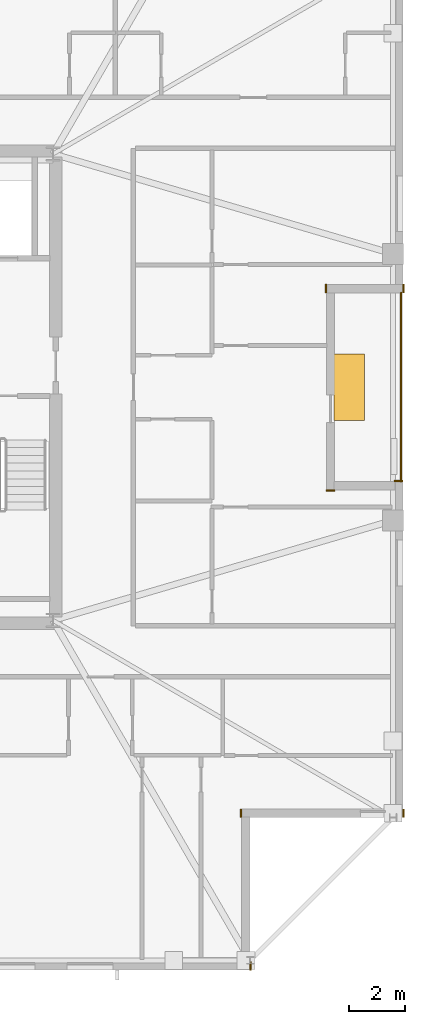
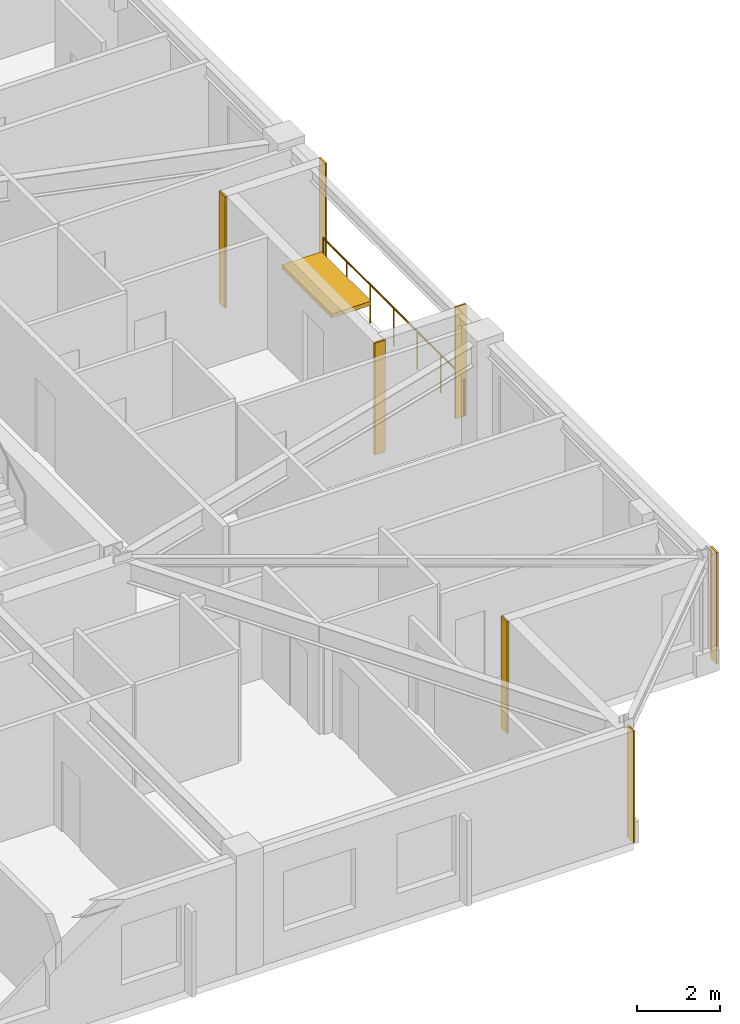
# One storey, part 14 of 15: 7 coverings, 1 railing, 1 shading device.
"""IFC4 building model written with IfcOpenShell, lengths in metres."""

from ifc_helpers import new_model, si_unit, direction, frame, frame_2d, origin, origin_2d, place, context, subcontext, project, spatial, rectangle, circle, extrude, material, layer, layer_set, type_object, element, save


model = new_model("IFC4")

# Units and contexts
model_context = context("Model", 3, precision=1e-05, world=origin(), true_north=direction((0.0, 1.0)))
body_context = subcontext(model_context, "Body", "Model", "MODEL_VIEW")
ifc_project = project(units=[si_unit("LENGTHUNIT", "METRE"), si_unit("AREAUNIT", "SQUARE_METRE"), si_unit("VOLUMEUNIT", "CUBIC_METRE"), si_unit("PLANEANGLEUNIT", "RADIAN"), si_unit("MASSUNIT", "GRAM", prefix="KILO")], contexts=[model_context])

# Site, building, storey
site_placement = place(None, origin())
site = spatial("IfcSite", under=ifc_project, at=site_placement, CompositionType="ELEMENT")
building_placement = place(site_placement, origin())
building = spatial("IfcBuilding", under=site, at=building_placement, Name="Cairnveth Concourse Tower", CompositionType="ELEMENT")
storey_placement = place(building_placement, frame((0.0, 0.0, 305.0)))
storey = spatial("IfcBuildingStorey", under=building, at=storey_placement, Name="L84", CompositionType="ELEMENT", Elevation=305.0)

# Coverings
ifc_material_1 = material(Name="Dressed Melbourne Bluestone Cladding", Category="masonry")
ifc_layer = layer(ifc_material_1, 0.050048828125)
ifc_layer_set = layer_set([ifc_layer], Name="Dressed Melbourne Bluestone Cladding")
covering_type = type_object("IfcCoveringType", Name="DRESSED BLUESTONE PLINTH CLADDING 50", PredefinedType="CLADDING", material=ifc_layer_set)
for number, where, z_axis, x_axis, name in (
    (1, (72.699951171875, 35.6201171875, 0.0), (0.0, 0.0, 1.0), (1.0, 0.0, 0.0), "Melbourne Bluestone Corner Quoin L84-1275"),
    (2, (73.02001953125, 23.800048828125, 0.0), (0.0, 0.0, 1.0), (0.0, -1.0, 0.0), "Melbourne Bluestone Corner Quoin L84-1276"),
    (3, (67.179931640625, 23.800048828125, 0.0), (0.0, 0.0, 1.0), (0.0, -1.0, 0.0), "Melbourne Bluestone Corner Quoin L84-1277"),
    (4, (67.52001953125, 18.300048828125, 0.0), (0.0, 0.0, 1.0), (0.0, -1.0, 0.0), "Melbourne Bluestone Corner Quoin L84-1278"),
    (5, (73.02001953125, 42.699951171875, 0.0), (0.0, 0.0, 1.0), (0.0, -1.0, 0.0), "Melbourne Bluestone Corner Quoin L84-1288"),
    (6, (70.22998046875, 42.699951171875, 0.0), (0.0, 0.0, 1.0), (0.0, -1.0, 0.0), "Melbourne Bluestone Corner Quoin L84-1289"),
    (7, (70.25, 35.280029296875, 0.0), (0.0, 0.0, 1.0), (1.0, 0.0, 0.0), "Melbourne Bluestone Corner Quoin L84-1290"),
):
    element("IfcCovering", number, at=place(storey_placement, frame(where, z_axis=z_axis, x_axis=x_axis)), inside=storey, type_object=covering_type, Name=name, PredefinedType="CLADDING", context=body_context, shape_type="SweptSolid", body=[
        extrude(rectangle(XDim=0.300048828125, YDim=0.050048828125, at=frame_2d((0.14990234375, 0.0))), origin(), (0.0, 0.0, 1.0), 3.2900390625),
    ])

# Shading device
ifc_material_2 = material(Name="Architectural Bronze Anodised Aluminium 6063-T6", Category="aluminium")
shading_device_type = type_object("IfcShadingDeviceType", Name="SPIRAL TERRACE SUNSHADE CANOPY", PredefinedType="USERDEFINED", material=ifc_material_2)
shading_device_placement = place(storey_placement, frame((71.070068359375, 39.0, 2.39794921875), z_axis=(0.0, 0.0, 1.0), x_axis=(1.0, 0.0, 0.0)))
element("IfcShadingDevice", 8, at=shading_device_placement, inside=storey, type_object=shading_device_type, Name="Spiral Terrace Sunshade L84", ObjectType="TERRACE SUNSHADE", PredefinedType="USERDEFINED", context=body_context, shape_type="SweptSolid", body=[
    extrude(rectangle(XDim=1.10009765625, YDim=2.39990234375, at=origin_2d()), origin(), (0.0, 0.0, 1.0), 0.1201171875),
])

# Railing
railing_type = type_object("IfcRailingType", Name="TERRACE BRONZE BALUSTRADE 1150", PredefinedType="BALUSTRADE", material=ifc_material_2)
railing_placement = place(storey_placement, frame((72.93994140625, 35.60009765625, 0.0)))
element("IfcRailing", 9, at=railing_placement, inside=storey, type_object=railing_type, Name="Terrace Balustrade RL-L84-TERR", PredefinedType="BALUSTRADE", context=body_context, shape_type="SweptSolid", body=[
    extrude(circle(Radius=0.02490234375, at=origin_2d()), frame((0.0, 0.0, 1.125), z_axis=(0.0, 1.0, 0.0), x_axis=(-1.0, 0.0, 0.0)), (0.0, 0.0, 1.0), 6.7998046875),
    extrude(circle(Radius=0.02099609375, at=origin_2d()), origin(), (0.0, 0.0, 1.0), 1.099853515625),
    extrude(circle(Radius=0.02099609375, at=origin_2d()), frame((0.0, 1.13330078125, 0.0)), (0.0, 0.0, 1.0), 1.099853515625),
    extrude(circle(Radius=0.02099609375, at=origin_2d()), frame((0.0, 2.2666015625, 0.0)), (0.0, 0.0, 1.0), 1.099853515625),
    extrude(circle(Radius=0.02099609375, at=origin_2d()), frame((0.0, 3.39990234375, 0.0)), (0.0, 0.0, 1.0), 1.099853515625),
    extrude(circle(Radius=0.02099609375, at=origin_2d()), frame((0.0, 4.533203125, 0.0)), (0.0, 0.0, 1.0), 1.099853515625),
    extrude(circle(Radius=0.02099609375, at=origin_2d()), frame((0.0, 5.66650390625, 0.0)), (0.0, 0.0, 1.0), 1.099853515625),
    extrude(circle(Radius=0.02099609375, at=origin_2d()), frame((0.0, 6.7998046875, 0.0)), (0.0, 0.0, 1.0), 1.099853515625),
])

save(model, "model.ifc")
